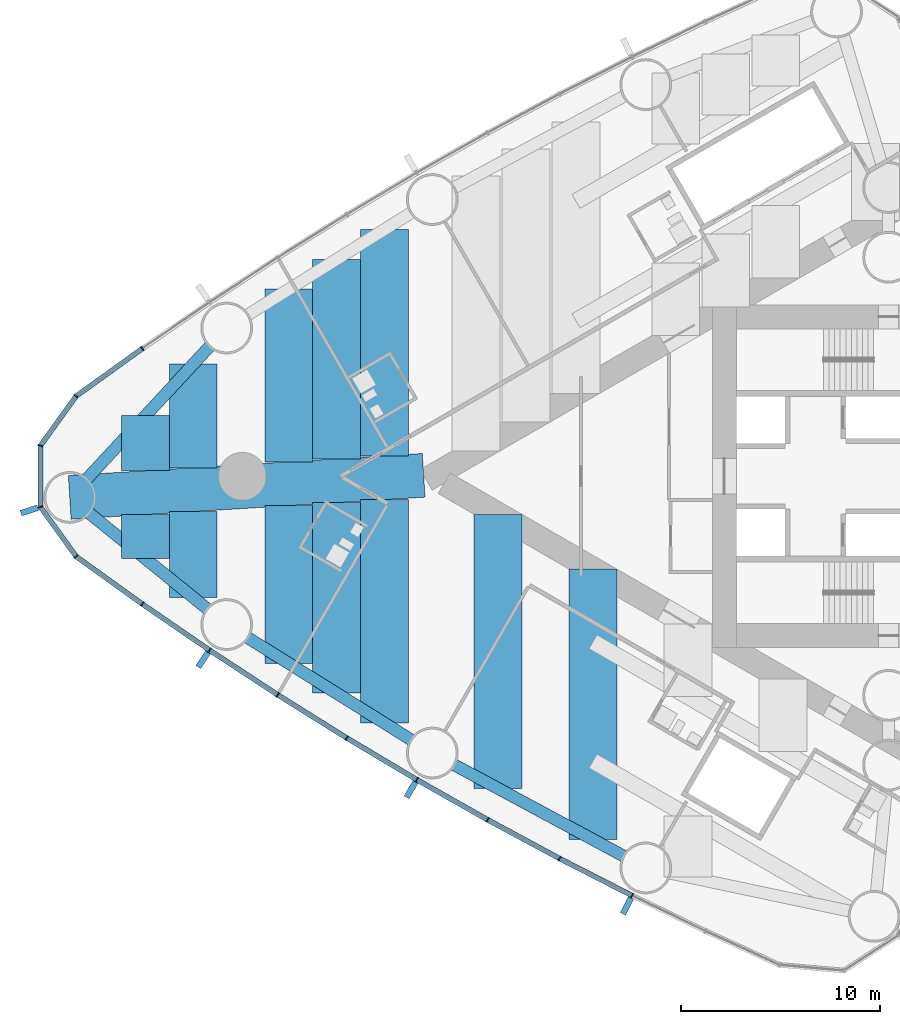
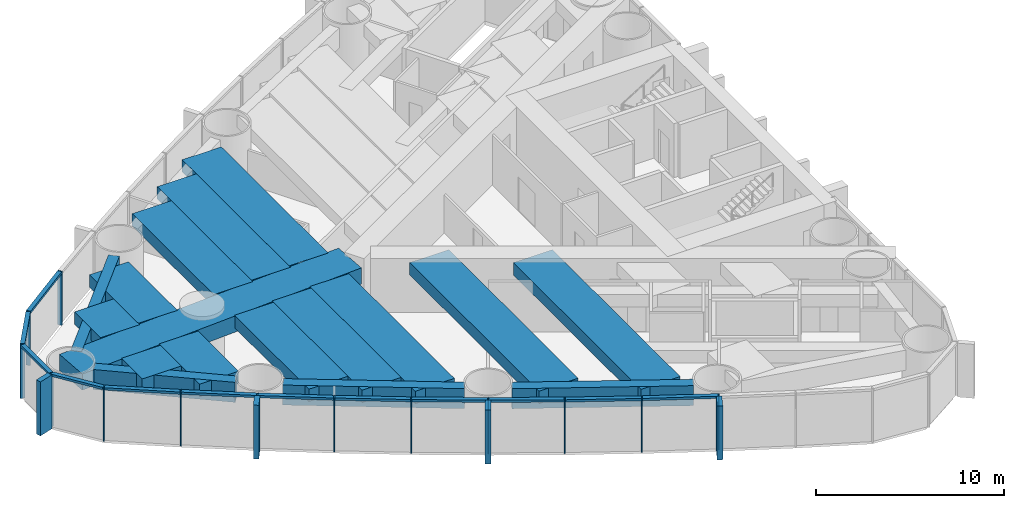
# One storey, part 2 of 18: 29 members, 17 beams, 1 element without a shape of its own.
"""IFC4 building model written with IfcOpenShell, lengths in metres."""

from ifc_helpers import new_model, si_unit, direction, frame, origin, origin_2d, place, context, subcontext, project, spatial, rectangle, hollow_rectangle, extrude, material, material_profile, profile_set, type_object, element, aggregate, save


model = new_model("IFC4")

# Units and contexts
model_context = context("Model", 3, precision=1e-05, world=origin(), true_north=direction((0.0, 1.0)))
body_context = subcontext(model_context, "Body", "Model", "MODEL_VIEW")
ifc_project = project(units=[si_unit("LENGTHUNIT", "METRE"), si_unit("AREAUNIT", "SQUARE_METRE"), si_unit("VOLUMEUNIT", "CUBIC_METRE"), si_unit("PLANEANGLEUNIT", "RADIAN"), si_unit("MASSUNIT", "GRAM", prefix="KILO")], contexts=[model_context])

# Site, building, storey
site_placement = place(None, origin())
site = spatial("IfcSite", under=ifc_project, at=site_placement, CompositionType="ELEMENT")
building_placement = place(site_placement, origin())
building = spatial("IfcBuilding", under=site, at=building_placement, Name="Lancet Gate Hotel", CompositionType="ELEMENT")
storey_placement = place(building_placement, frame((0.0, 0.0, 139.60009765625)))
storey = spatial("IfcBuildingStorey", under=building, at=storey_placement, Name="L37", CompositionType="ELEMENT", Elevation=139.60009765625)

# Curtain wall, members
ifc_material_1 = material(Name="Aluminium curtain wall", Category="aluminium")
curtain_wall_type = type_object("IfcCurtainWallType", Name="Tower unitised curtain wall", PredefinedType="USERDEFINED", material=ifc_material_1)
curtain_wall_placement = place(storey_placement, origin())
curtain_wall = element("IfcCurtainWall", 1, at=curtain_wall_placement, inside=storey, type_object=curtain_wall_type, Name="T1 L37 curtain wall 1", ObjectType="UNITISED CURTAIN WALL", PredefinedType="USERDEFINED")
ifc_material_2 = material(Name="Aluminium mullion", Category="aluminium")
ifc_material_profile_1 = material_profile(ifc_material_2, rectangle(XDim=0.06494140625, YDim=0.25, at=origin_2d()), Name="MULLION 65x250")
ifc_profile_set_1 = profile_set([ifc_material_profile_1], Name="Aluminium mullion")
member_type_1 = type_object("IfcMemberType", Name="Aluminium mullion 65x250", PredefinedType="MULLION", material=ifc_profile_set_1)
member_1_placement = place(storey_placement, frame((-66.5234375, 6.41650390625, 0.0), z_axis=(0.0, 0.0, 1.0), x_axis=(-0.818327221681, -0.574752606132, 0.0)))
member_1 = element("IfcMember", 2, at=member_1_placement, type_object=member_type_1, Name="T1 L37 curtain wall 1 mullion 16", PredefinedType="MULLION", context=body_context, shape_type="SweptSolid", body=[
    extrude(rectangle(XDim=0.06494140625, YDim=0.25, at=origin_2d()), origin(), (0.0, 0.0, 1.0), 3.5),
])
member_2_placement = place(storey_placement, frame((-69.84619140625, 4.02880859375, 0.0), z_axis=(0.0, 0.0, 1.0), x_axis=(-0.723846229576, -0.6899613293, 0.0)))
member_2 = element("IfcMember", 3, at=member_2_placement, type_object=member_type_1, Name="T1 L37 curtain wall 1 mullion 17", PredefinedType="MULLION", context=body_context, shape_type="SweptSolid", body=[
    extrude(rectangle(XDim=0.06494140625, YDim=0.25, at=origin_2d()), origin(), (0.0, 0.0, 1.0), 3.5),
])
member_3_placement = place(storey_placement, frame((-71.64306640625, 1.536376953125, 0.0), z_axis=(0.0, 0.0, 1.0), x_axis=(-0.307269196735, -0.95162263568, 0.0)))
member_3 = element("IfcMember", 4, at=member_3_placement, type_object=member_type_1, Name="T1 L37 curtain wall 1 mullion 18", PredefinedType="MULLION", context=body_context, shape_type="SweptSolid", body=[
    extrude(rectangle(XDim=0.06494140625, YDim=0.25, at=origin_2d()), origin(), (0.0, 0.0, 1.0), 3.5),
])
member_4_placement = place(storey_placement, frame((-71.64306640625, -1.536376953125, 0.0), z_axis=(0.0, 0.0, 1.0), x_axis=(0.307269196735, -0.95162263568, 0.0)))
member_4 = element("IfcMember", 5, at=member_4_placement, type_object=member_type_1, Name="T1 L37 curtain wall 1 mullion 19", PredefinedType="MULLION", context=body_context, shape_type="SweptSolid", body=[
    extrude(rectangle(XDim=0.06494140625, YDim=0.25, at=origin_2d()), origin(), (0.0, 0.0, 1.0), 3.5),
])
member_5_placement = place(storey_placement, frame((-69.84619140625, -4.02880859375, 0.0), z_axis=(0.0, 0.0, 1.0), x_axis=(0.723846229576, -0.6899613293, 0.0)))
member_5 = element("IfcMember", 6, at=member_5_placement, type_object=member_type_1, Name="T1 L37 curtain wall 1 mullion 20", PredefinedType="MULLION", context=body_context, shape_type="SweptSolid", body=[
    extrude(rectangle(XDim=0.06494140625, YDim=0.25, at=origin_2d()), origin(), (0.0, 0.0, 1.0), 3.5),
])
member_6_placement = place(storey_placement, frame((-66.5234375, -6.41650390625, 0.0), z_axis=(0.0, 0.0, 1.0), x_axis=(0.818327221681, -0.574752606132, 0.0)))
member_6 = element("IfcMember", 7, at=member_6_placement, type_object=member_type_1, Name="T1 L37 curtain wall 1 mullion 21", PredefinedType="MULLION", context=body_context, shape_type="SweptSolid", body=[
    extrude(rectangle(XDim=0.06494140625, YDim=0.25, at=origin_2d()), origin(), (0.0, 0.0, 1.0), 3.5),
])
member_7_placement = place(storey_placement, frame((-63.14990234375, -8.73193359375, 0.0), z_axis=(0.0, 0.0, 1.0), x_axis=(0.830510096234, -0.557003572747, 0.0)))
member_7 = element("IfcMember", 8, at=member_7_placement, type_object=member_type_1, Name="T1 L37 curtain wall 1 mullion 22", PredefinedType="MULLION", context=body_context, shape_type="SweptSolid", body=[
    extrude(rectangle(XDim=0.06494140625, YDim=0.25, at=origin_2d()), origin(), (0.0, 0.0, 1.0), 3.5),
])
member_8_placement = place(storey_placement, frame((-59.7275390625, -10.974365234375, 0.0), z_axis=(0.0, 0.0, 1.0), x_axis=(0.84230807036, -0.538996395727, 0.0)))
member_8 = element("IfcMember", 9, at=member_8_placement, type_object=member_type_1, Name="T1 L37 curtain wall 1 mullion 23", PredefinedType="MULLION", context=body_context, shape_type="SweptSolid", body=[
    extrude(rectangle(XDim=0.06494140625, YDim=0.25, at=origin_2d()), origin(), (0.0, 0.0, 1.0), 3.5),
])
member_9_placement = place(storey_placement, frame((-56.257568359375, -13.142333984375, 0.0), z_axis=(0.0, 0.0, 1.0), x_axis=(0.853715676299, -0.52073942048, 0.0)))
member_9 = element("IfcMember", 10, at=member_9_placement, type_object=member_type_1, Name="T1 L37 curtain wall 1 mullion 24", PredefinedType="MULLION", context=body_context, shape_type="SweptSolid", body=[
    extrude(rectangle(XDim=0.06494140625, YDim=0.25, at=origin_2d()), origin(), (0.0, 0.0, 1.0), 3.5),
])
member_10_placement = place(storey_placement, frame((-52.74169921875, -15.2353515625, 0.0), z_axis=(0.0, 0.0, 1.0), x_axis=(0.86472762718, -0.502241108226, 0.0)))
member_10 = element("IfcMember", 11, at=member_10_placement, type_object=member_type_1, Name="T1 L37 curtain wall 1 mullion 25", PredefinedType="MULLION", context=body_context, shape_type="SweptSolid", body=[
    extrude(rectangle(XDim=0.06494140625, YDim=0.25, at=origin_2d()), origin(), (0.0, 0.0, 1.0), 3.5),
])
member_11_placement = place(storey_placement, frame((-49.181640625, -17.252197265625, 0.0), z_axis=(0.0, 0.0, 1.0), x_axis=(0.875338819507, -0.48351003202, 0.0)))
member_11 = element("IfcMember", 12, at=member_11_placement, type_object=member_type_1, Name="T1 L37 curtain wall 1 mullion 26", PredefinedType="MULLION", context=body_context, shape_type="SweptSolid", body=[
    extrude(rectangle(XDim=0.06494140625, YDim=0.25, at=origin_2d()), origin(), (0.0, 0.0, 1.0), 3.5),
])
member_12_placement = place(storey_placement, frame((-45.578857421875, -19.19189453125, 0.0), z_axis=(0.0, 0.0, 1.0), x_axis=(0.885544335517, -0.46455487279, 0.0)))
member_12 = element("IfcMember", 13, at=member_12_placement, type_object=member_type_1, Name="T1 L37 curtain wall 1 mullion 27", PredefinedType="MULLION", context=body_context, shape_type="SweptSolid", body=[
    extrude(rectangle(XDim=0.06494140625, YDim=0.25, at=origin_2d()), origin(), (0.0, 0.0, 1.0), 3.5),
])
member_13_placement = place(storey_placement, frame((-41.935302734375, -21.053466796875, 0.0), z_axis=(0.0, 0.0, 1.0), x_axis=(0.895339445458, -0.445384415317, 0.0)))
member_13 = element("IfcMember", 14, at=member_13_placement, type_object=member_type_1, Name="T1 L37 curtain wall 1 mullion 28", PredefinedType="MULLION", context=body_context, shape_type="SweptSolid", body=[
    extrude(rectangle(XDim=0.06494140625, YDim=0.25, at=origin_2d()), origin(), (0.0, 0.0, 1.0), 3.5),
])
ifc_material_3 = material(Name="Aluminium transom", Category="aluminium")
ifc_material_profile_2 = material_profile(ifc_material_3, rectangle(XDim=0.25, YDim=0.14990234375, at=origin_2d()), Name="TRANSOM 250x150")
ifc_profile_set_2 = profile_set([ifc_material_profile_2], Name="Aluminium transom")
member_type_2 = type_object("IfcMemberType", Name="Aluminium transom 250x150", PredefinedType="USERDEFINED", material=ifc_profile_set_2)
member_14_placement = place(storey_placement, frame((-66.5498046875, 6.3974609375, 3.4248046875), z_axis=(-0.812099770796, -0.583518604908, 0.0), x_axis=(0.583518604908, -0.812099770796, 0.0)))
member_14 = element("IfcMember", 15, at=member_14_placement, type_object=member_type_2, Name="T1 L37 curtain wall 1 transom 16", ObjectType="TRANSOM", PredefinedType="USERDEFINED", context=body_context, shape_type="SweptSolid", body=[
    extrude(rectangle(XDim=0.25, YDim=0.14990234375, at=origin_2d()), origin(), (0.0, 0.0, 1.0), 4.026611328125),
])
member_15_placement = place(storey_placement, frame((-69.865234375, 4.00244140625, 3.4248046875), z_axis=(-0.584787911241, -0.81118622946, 0.0), x_axis=(0.81118622946, -0.584787911241, 0.0)))
member_15 = element("IfcMember", 16, at=member_15_placement, type_object=member_type_2, Name="T1 L37 curtain wall 1 transom 17", ObjectType="TRANSOM", PredefinedType="USERDEFINED", context=body_context, shape_type="SweptSolid", body=[
    extrude(rectangle(XDim=0.25, YDim=0.14990234375, at=origin_2d()), origin(), (0.0, 0.0, 1.0), 3.007568359375),
])
member_16_placement = place(storey_placement, frame((-71.64306640625, 1.50390625, 3.4248046875), z_axis=(0.0, -1.0, 0.0), x_axis=(1.0, 0.0, 0.0)))
member_16 = element("IfcMember", 17, at=member_16_placement, type_object=member_type_2, Name="T1 L37 curtain wall 1 transom 18", ObjectType="TRANSOM", PredefinedType="USERDEFINED", context=body_context, shape_type="SweptSolid", body=[
    extrude(rectangle(XDim=0.25, YDim=0.14990234375, at=origin_2d()), origin(), (0.0, 0.0, 1.0), 3.0078125),
])
member_17_placement = place(storey_placement, frame((-71.6240234375, -1.562744140625, 3.4248046875), z_axis=(0.584787911241, -0.81118622946, 0.0), x_axis=(0.81118622946, 0.584787911241, 0.0)))
member_17 = element("IfcMember", 18, at=member_17_placement, type_object=member_type_2, Name="T1 L37 curtain wall 1 transom 19", ObjectType="TRANSOM", PredefinedType="USERDEFINED", context=body_context, shape_type="SweptSolid", body=[
    extrude(rectangle(XDim=0.25, YDim=0.14990234375, at=origin_2d()), origin(), (0.0, 0.0, 1.0), 3.007568359375),
])
member_18_placement = place(storey_placement, frame((-69.81982421875, -4.0478515625, 3.4248046875), z_axis=(0.812099770796, -0.583518604908, 0.0), x_axis=(0.583518604908, 0.812099770796, 0.0)))
member_18 = element("IfcMember", 19, at=member_18_placement, type_object=member_type_2, Name="T1 L37 curtain wall 1 transom 20", ObjectType="TRANSOM", PredefinedType="USERDEFINED", context=body_context, shape_type="SweptSolid", body=[
    extrude(rectangle(XDim=0.25, YDim=0.14990234375, at=origin_2d()), origin(), (0.0, 0.0, 1.0), 4.026611328125),
])
member_19_placement = place(storey_placement, frame((-66.49658203125, -6.434814453125, 3.4248046875), z_axis=(0.824455665247, -0.565926546508, 0.0), x_axis=(0.565926546508, 0.824455665247, 0.0)))
member_19 = element("IfcMember", 20, at=member_19_placement, type_object=member_type_2, Name="T1 L37 curtain wall 1 transom 21", ObjectType="TRANSOM", PredefinedType="USERDEFINED", context=body_context, shape_type="SweptSolid", body=[
    extrude(rectangle(XDim=0.25, YDim=0.14990234375, at=origin_2d()), origin(), (0.0, 0.0, 1.0), 4.026611328125),
])
member_20_placement = place(storey_placement, frame((-63.122802734375, -8.749755859375, 3.4248046875), z_axis=(0.83645442085, -0.548036496815, 0.0), x_axis=(0.548036496815, 0.83645442085, 0.0)))
member_20 = element("IfcMember", 21, at=member_20_placement, type_object=member_type_2, Name="T1 L37 curtain wall 1 transom 22", ObjectType="TRANSOM", PredefinedType="USERDEFINED", context=body_context, shape_type="SweptSolid", body=[
    extrude(rectangle(XDim=0.25, YDim=0.14990234375, at=origin_2d()), origin(), (0.0, 0.0, 1.0), 4.026611328125),
])
member_21_placement = place(storey_placement, frame((-59.699951171875, -10.991455078125, 3.4248046875), z_axis=(0.848049393821, -0.529917187531, 0.0), x_axis=(0.529917187531, 0.848049393821, 0.0)))
member_21 = element("IfcMember", 22, at=member_21_placement, type_object=member_type_2, Name="T1 L37 curtain wall 1 transom 23", ObjectType="TRANSOM", PredefinedType="USERDEFINED", context=body_context, shape_type="SweptSolid", body=[
    extrude(rectangle(XDim=0.25, YDim=0.14990234375, at=origin_2d()), origin(), (0.0, 0.0, 1.0), 4.026611328125),
])
member_22_placement = place(storey_placement, frame((-56.2294921875, -13.1591796875, 3.4248046875), z_axis=(0.859285270342, -0.511496651186, 0.0), x_axis=(0.511496651186, 0.859285270342, 0.0)))
member_22 = element("IfcMember", 23, at=member_22_placement, type_object=member_type_2, Name="T1 L37 curtain wall 1 transom 24", ObjectType="TRANSOM", PredefinedType="USERDEFINED", context=body_context, shape_type="SweptSolid", body=[
    extrude(rectangle(XDim=0.25, YDim=0.14990234375, at=origin_2d()), origin(), (0.0, 0.0, 1.0), 4.026611328125),
])
member_23_placement = place(storey_placement, frame((-52.71337890625, -15.25146484375, 3.4248046875), z_axis=(0.870091531013, -0.492890178091, 0.0), x_axis=(0.492890178091, 0.870091531013, 0.0)))
member_23 = element("IfcMember", 24, at=member_23_placement, type_object=member_type_2, Name="T1 L37 curtain wall 1 transom 25", ObjectType="TRANSOM", PredefinedType="USERDEFINED", context=body_context, shape_type="SweptSolid", body=[
    extrude(rectangle(XDim=0.25, YDim=0.14990234375, at=origin_2d()), origin(), (0.0, 0.0, 1.0), 4.026611328125),
])
member_24_placement = place(storey_placement, frame((-49.153076171875, -17.267578125, 3.4248046875), z_axis=(0.880498353192, -0.474049206335, 0.0), x_axis=(0.474049206335, 0.880498353192, 0.0)))
member_24 = element("IfcMember", 25, at=member_24_placement, type_object=member_type_2, Name="T1 L37 curtain wall 1 transom 26", ObjectType="TRANSOM", PredefinedType="USERDEFINED", context=body_context, shape_type="SweptSolid", body=[
    extrude(rectangle(XDim=0.25, YDim=0.14990234375, at=origin_2d()), origin(), (0.0, 0.0, 1.0), 4.02685546875),
])
member_25_placement = place(storey_placement, frame((-45.550048828125, -19.20654296875, 3.4248046875), z_axis=(0.89047617483, -0.455029869415, 0.0), x_axis=(0.455029869415, 0.89047617483, 0.0)))
member_25 = element("IfcMember", 26, at=member_25_placement, type_object=member_type_2, Name="T1 L37 curtain wall 1 transom 27", ObjectType="TRANSOM", PredefinedType="USERDEFINED", context=body_context, shape_type="SweptSolid", body=[
    extrude(rectangle(XDim=0.25, YDim=0.14990234375, at=origin_2d()), origin(), (0.0, 0.0, 1.0), 4.026611328125),
])

# Beams
ifc_material_4 = material(Name="Steel S460QL", Category="steel")
ifc_material_profile_3 = material_profile(ifc_material_4, hollow_rectangle(XDim=0.60009765625, YDim=1.300048828125, WallThickness=0.050048828125, at=origin_2d()), Name="BOX 1300x600x50")
ifc_profile_set_3 = profile_set([ifc_material_profile_3], Name="Steel S460QL")
beam_type_1 = type_object("IfcBeamType", Name="Edge beam BOX 1300x600x50", PredefinedType="SPANDREL", material=ifc_profile_set_3)
beam_1_placement = place(storey_placement, frame((-63.13623046875, 6.52783203125, 2.599853515625), z_axis=(-0.679712541232, -0.733478603158, 0.0), x_axis=(0.733478603158, -0.679712541232, 0.0)))
element("IfcBeam", 27, at=beam_1_placement, inside=storey, type_object=beam_type_1, Name="T1 edge beam EB2 L37", PredefinedType="SPANDREL", context=body_context, shape_type="SweptSolid", body=[
    extrude(hollow_rectangle(XDim=0.60009765625, YDim=1.300048828125, WallThickness=0.050048828125, at=origin_2d()), origin(), (0.0, 0.0, 1.0), 9.09521484375),
])
beam_2_placement = place(storey_placement, frame((-69.19677734375, -1.846923828125, 2.599853515625), z_axis=(0.777049192249, -0.629439872287, 0.0), x_axis=(0.629439872287, 0.777049192249, 0.0)))
element("IfcBeam", 28, at=beam_2_placement, inside=storey, type_object=beam_type_1, Name="T1 edge beam EB2 L37", PredefinedType="SPANDREL", context=body_context, shape_type="SweptSolid", body=[
    extrude(hollow_rectangle(XDim=0.60009765625, YDim=1.300048828125, WallThickness=0.050048828125, at=origin_2d()), origin(), (0.0, 0.0, 1.0), 7.64306640625),
])
beam_3_placement = place(storey_placement, frame((-61.2265625, -8.10693359375, 2.599853515625), z_axis=(0.848062104807, -0.529896845047, 0.0), x_axis=(0.529896845047, 0.848062104807, 0.0)))
element("IfcBeam", 29, at=beam_3_placement, inside=storey, type_object=beam_type_1, Name="T1 edge beam EB2 L37", PredefinedType="SPANDREL", context=body_context, shape_type="SweptSolid", body=[
    extrude(hollow_rectangle(XDim=0.60009765625, YDim=1.300048828125, WallThickness=0.050048828125, at=origin_2d()), origin(), (0.0, 0.0, 1.0), 9.673095703125),
])
beam_4_placement = place(storey_placement, frame((-50.862548828125, -14.487548828125, 2.599853515625), z_axis=(0.880484066736, -0.474075741021, 0.0), x_axis=(0.474075741021, 0.880484066736, 0.0)))
element("IfcBeam", 30, at=beam_4_placement, inside=storey, type_object=beam_type_1, Name="T1 edge beam EB2 L37", PredefinedType="SPANDREL", context=body_context, shape_type="SweptSolid", body=[
    extrude(hollow_rectangle(XDim=0.60009765625, YDim=1.300048828125, WallThickness=0.050048828125, at=origin_2d()), origin(), (0.0, 0.0, 1.0), 9.6728515625),
])

# Member
ifc_material_5 = material(Name="Precast concrete C50/60", Category="concrete")
ifc_material_profile_4 = material_profile(ifc_material_5, rectangle(XDim=0.300048828125, YDim=0.89990234375, at=origin_2d()), Name="FIN 300x900")
ifc_profile_set_4 = profile_set([ifc_material_profile_4], Name="Precast concrete C50/60")
member_type_3 = type_object("IfcMemberType", Name="Exposed concrete fin 300x900", PredefinedType="USERDEFINED", material=ifc_profile_set_4)
member_26_placement = place(storey_placement, frame((-72.190185546875, -1.713134765625, 0.0), z_axis=(0.0, 0.0, 1.0), x_axis=(0.307269196735, -0.95162263568, 0.0)))
member_26 = element("IfcMember", 31, at=member_26_placement, type_object=member_type_3, Name="T1 L37 curtain wall 1 fin 19", ObjectType="FIN", PredefinedType="USERDEFINED", context=body_context, shape_type="SweptSolid", body=[
    extrude(rectangle(XDim=0.300048828125, YDim=0.89990234375, at=origin_2d()), origin(), (0.0, 0.0, 1.0), 3.5),
])

member_27_placement = place(storey_placement, frame((-63.47021484375, -9.20947265625, 0.0), z_axis=(0.0, 0.0, 1.0), x_axis=(0.830510096234, -0.557003572747, 0.0)))
member_27 = element("IfcMember", 32, at=member_27_placement, type_object=member_type_3, Name="T1 L37 curtain wall 1 fin 22", ObjectType="FIN", PredefinedType="USERDEFINED", context=body_context, shape_type="SweptSolid", body=[
    extrude(rectangle(XDim=0.300048828125, YDim=0.89990234375, at=origin_2d()), origin(), (0.0, 0.0, 1.0), 3.5),
])

member_28_placement = place(storey_placement, frame((-53.030517578125, -15.732666015625, 0.0), z_axis=(0.0, 0.0, 1.0), x_axis=(0.86472762718, -0.502241108226, 0.0)))
member_28 = element("IfcMember", 33, at=member_28_placement, type_object=member_type_3, Name="T1 L37 curtain wall 1 fin 25", ObjectType="FIN", PredefinedType="USERDEFINED", context=body_context, shape_type="SweptSolid", body=[
    extrude(rectangle(XDim=0.300048828125, YDim=0.89990234375, at=origin_2d()), origin(), (0.0, 0.0, 1.0), 3.5),
])

member_29_placement = place(storey_placement, frame((-42.19140625, -21.568359375, 0.0), z_axis=(0.0, 0.0, 1.0), x_axis=(0.895339445458, -0.445384415317, 0.0)))
member_29 = element("IfcMember", 34, at=member_29_placement, type_object=member_type_3, Name="T1 L37 curtain wall 1 fin 28", ObjectType="FIN", PredefinedType="USERDEFINED", context=body_context, shape_type="SweptSolid", body=[
    extrude(rectangle(XDim=0.300048828125, YDim=0.89990234375, at=origin_2d()), origin(), (0.0, 0.0, 1.0), 3.5),
])

aggregate(curtain_wall, [member_1, member_2, member_3, member_4, member_26, member_5, member_6, member_7, member_27, member_8, member_9, member_10, member_28, member_11, member_12, member_13, member_29, member_14, member_15, member_16, member_17, member_18, member_19, member_20, member_21, member_22, member_23, member_24, member_25])

# Beams
ifc_material_6 = material(Name="Concrete C50/60", Category="concrete")
ifc_material_profile_5 = material_profile(ifc_material_6, rectangle(XDim=2.39990234375, YDim=0.800048828125, at=origin_2d()), Name="RC 2400x800")
ifc_profile_set_5 = profile_set([ifc_material_profile_5], Name="Concrete C50/60")
beam_type_2 = type_object("IfcBeamType", Name="Floor beam RC 2400x800", PredefinedType="BEAM", material=ifc_profile_set_5)
beam_5_placement = place(storey_placement, frame((-43.891357421875, -4.663330078125, 2.849853515625), z_axis=(0.0, -1.0, 0.0), x_axis=(1.0, 0.0, 0.0)))
element("IfcBeam", 35, at=beam_5_placement, inside=storey, type_object=beam_type_2, Name="T1 floor beam F08N L37", PredefinedType="BEAM", context=body_context, shape_type="SweptSolid", body=[
    extrude(rectangle(XDim=2.39990234375, YDim=0.800048828125, at=origin_2d()), origin(), (0.0, 0.0, 1.0), 13.57763671875),
])
beam_6_placement = place(storey_placement, frame((-48.66015625, -1.909912109375, 2.849853515625), z_axis=(0.0, -1.0, 0.0), x_axis=(1.0, 0.0, 0.0)))
element("IfcBeam", 36, at=beam_6_placement, inside=storey, type_object=beam_type_2, Name="T1 floor beam F11N L37", PredefinedType="BEAM", context=body_context, shape_type="SweptSolid", body=[
    extrude(rectangle(XDim=2.39990234375, YDim=0.800048828125, at=origin_2d()), origin(), (0.0, 0.0, 1.0), 13.763427734375),
])
beam_7_placement = place(storey_placement, frame((-54.3681640625, 12.392333984375, 2.849853515625), z_axis=(0.0, -1.0, 0.0), x_axis=(1.0, 0.0, 0.0)))
element("IfcBeam", 37, at=beam_7_placement, inside=storey, type_object=beam_type_2, Name="T1 floor beam F13S L37", PredefinedType="BEAM", context=body_context, shape_type="SweptSolid", body=[
    extrude(rectangle(XDim=2.39990234375, YDim=0.800048828125, at=origin_2d()), origin(), (0.0, 0.0, 1.0), 11.364990234375),
])
beam_8_placement = place(storey_placement, frame((-54.3681640625, -1.177001953125, 2.849853515625), z_axis=(0.0, -1.0, 0.0), x_axis=(1.0, 0.0, 0.0)))
element("IfcBeam", 38, at=beam_8_placement, inside=storey, type_object=beam_type_2, Name="T1 floor beam F14N L37", PredefinedType="BEAM", context=body_context, shape_type="SweptSolid", body=[
    extrude(rectangle(XDim=2.39990234375, YDim=0.800048828125, at=origin_2d()), origin(), (0.0, 0.0, 1.0), 11.21533203125),
])
beam_9_placement = place(storey_placement, frame((-56.768310546875, 10.892578125, 2.849853515625), z_axis=(0.0, -1.0, 0.0), x_axis=(1.0, 0.0, 0.0)))
element("IfcBeam", 39, at=beam_9_placement, inside=storey, type_object=beam_type_2, Name="T1 floor beam F15S L37", PredefinedType="BEAM", context=body_context, shape_type="SweptSolid", body=[
    extrude(rectangle(XDim=2.39990234375, YDim=0.800048828125, at=origin_2d()), origin(), (0.0, 0.0, 1.0), 10.014892578125),
])
beam_10_placement = place(storey_placement, frame((-56.768310546875, -1.32666015625, 2.849853515625), z_axis=(0.0, -1.0, 0.0), x_axis=(1.0, 0.0, 0.0)))
element("IfcBeam", 40, at=beam_10_placement, inside=storey, type_object=beam_type_2, Name="T1 floor beam F16N L37", PredefinedType="BEAM", context=body_context, shape_type="SweptSolid", body=[
    extrude(rectangle(XDim=2.39990234375, YDim=0.800048828125, at=origin_2d()), origin(), (0.0, 0.0, 1.0), 9.56591796875),
])
beam_11_placement = place(storey_placement, frame((-59.168212890625, 9.39306640625, 2.849853515625), z_axis=(0.0, -1.0, 0.0), x_axis=(1.0, 0.0, 0.0)))
element("IfcBeam", 41, at=beam_11_placement, inside=storey, type_object=beam_type_2, Name="T1 floor beam F17S L37", PredefinedType="BEAM", context=body_context, shape_type="SweptSolid", body=[
    extrude(rectangle(XDim=2.39990234375, YDim=0.800048828125, at=origin_2d()), origin(), (0.0, 0.0, 1.0), 8.6650390625),
])
beam_12_placement = place(storey_placement, frame((-59.168212890625, -1.476318359375, 2.849853515625), z_axis=(0.0, -1.0, 0.0), x_axis=(1.0, 0.0, 0.0)))
element("IfcBeam", 42, at=beam_12_placement, inside=storey, type_object=beam_type_2, Name="T1 floor beam F18N L37", PredefinedType="BEAM", context=body_context, shape_type="SweptSolid", body=[
    extrude(rectangle(XDim=2.39990234375, YDim=0.800048828125, at=origin_2d()), origin(), (0.0, 0.0, 1.0), 7.916748046875),
])
beam_13_placement = place(storey_placement, frame((-63.96826171875, 5.6298828125, 2.849853515625), z_axis=(0.0, -1.0, 0.0), x_axis=(1.0, 0.0, 0.0)))
element("IfcBeam", 43, at=beam_13_placement, inside=storey, type_object=beam_type_2, Name="T1 floor beam F19S L37", PredefinedType="BEAM", context=body_context, shape_type="SweptSolid", body=[
    extrude(rectangle(XDim=2.39990234375, YDim=0.800048828125, at=origin_2d()), origin(), (0.0, 0.0, 1.0), 5.201171875),
])
beam_14_placement = place(storey_placement, frame((-63.96826171875, -1.775634765625, 2.849853515625), z_axis=(0.0, -1.0, 0.0), x_axis=(1.0, 0.0, 0.0)))
element("IfcBeam", 44, at=beam_14_placement, inside=storey, type_object=beam_type_2, Name="T1 floor beam F20N L37", PredefinedType="BEAM", context=body_context, shape_type="SweptSolid", body=[
    extrude(rectangle(XDim=2.39990234375, YDim=0.800048828125, at=origin_2d()), origin(), (0.0, 0.0, 1.0), 4.306640625),
])
beam_15_placement = place(storey_placement, frame((-66.3681640625, 3.040283203125, 2.849853515625), z_axis=(0.0, -1.0, 0.0), x_axis=(1.0, 0.0, 0.0)))
element("IfcBeam", 45, at=beam_15_placement, inside=storey, type_object=beam_type_2, Name="T1 floor beam F21S L37", PredefinedType="BEAM", context=body_context, shape_type="SweptSolid", body=[
    extrude(rectangle(XDim=2.39990234375, YDim=0.800048828125, at=origin_2d()), origin(), (0.0, 0.0, 1.0), 2.76123046875),
])
beam_16_placement = place(storey_placement, frame((-66.3681640625, -1.92529296875, 2.849853515625), z_axis=(0.0, -1.0, 0.0), x_axis=(1.0, 0.0, 0.0)))
element("IfcBeam", 46, at=beam_16_placement, inside=storey, type_object=beam_type_2, Name="T1 floor beam F22N L37", PredefinedType="BEAM", context=body_context, shape_type="SweptSolid", body=[
    extrude(rectangle(XDim=2.39990234375, YDim=0.800048828125, at=origin_2d()), origin(), (0.0, 0.0, 1.0), 2.212890625),
])
ifc_material_7 = material(Name="Concrete C50/60", Category="concrete")
ifc_material_profile_6 = material_profile(ifc_material_7, rectangle(XDim=2.199951171875, YDim=1.050048828125, at=origin_2d()), Name="RC 2200x1050")
ifc_profile_set_6 = profile_set([ifc_material_profile_6], Name="Concrete C50/60")
beam_type_3 = type_object("IfcBeamType", Name="Radial floor beam RC 2200x1050", PredefinedType="BEAM", material=ifc_profile_set_6)
beam_17_placement = place(storey_placement, frame((-70.16796875, -1.06005859375, 2.724853515625), z_axis=(0.998061637313, 0.062233175423, 0.0), x_axis=(-0.062233175423, 0.998061637313, 0.0)))
element("IfcBeam", 47, at=beam_17_placement, inside=storey, type_object=beam_type_3, Name="T1 radial beam CA L37", PredefinedType="BEAM", context=body_context, shape_type="SweptSolid", body=[
    extrude(rectangle(XDim=2.199951171875, YDim=1.050048828125, at=origin_2d()), origin(), (0.0, 0.0, 1.0), 17.806396484375),
])

save(model, "model.ifc")
